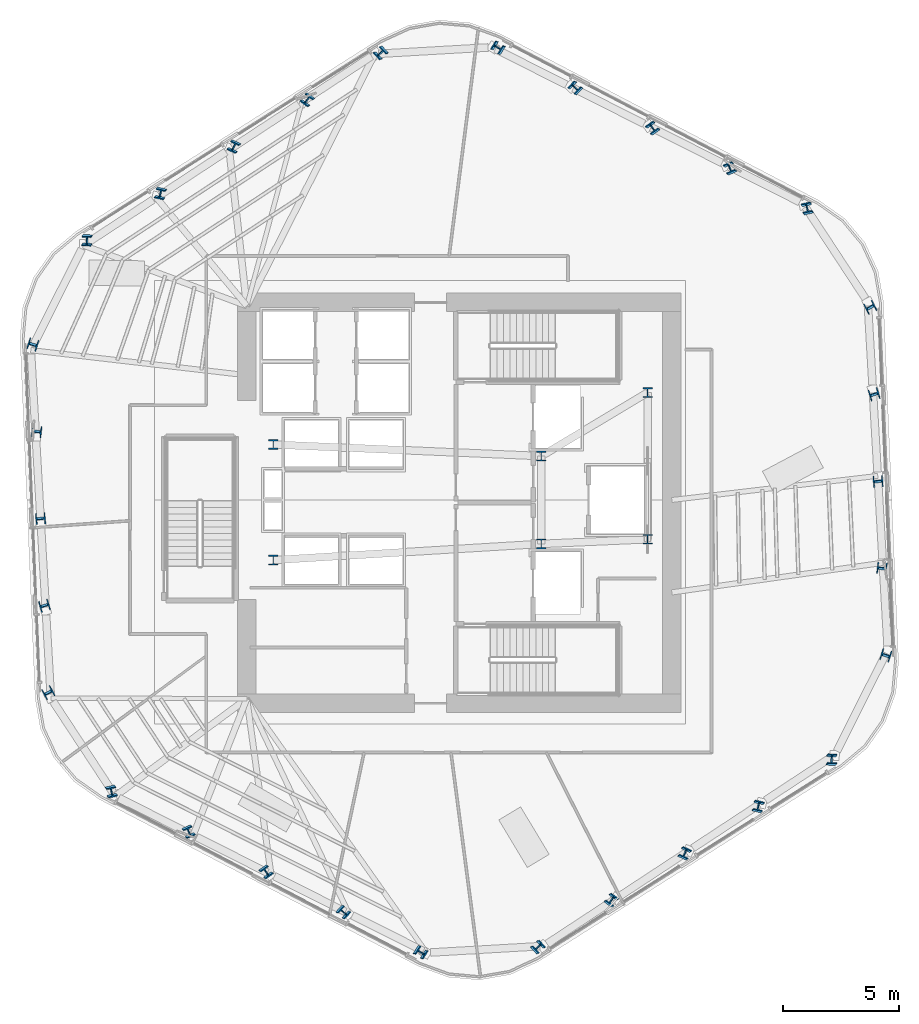
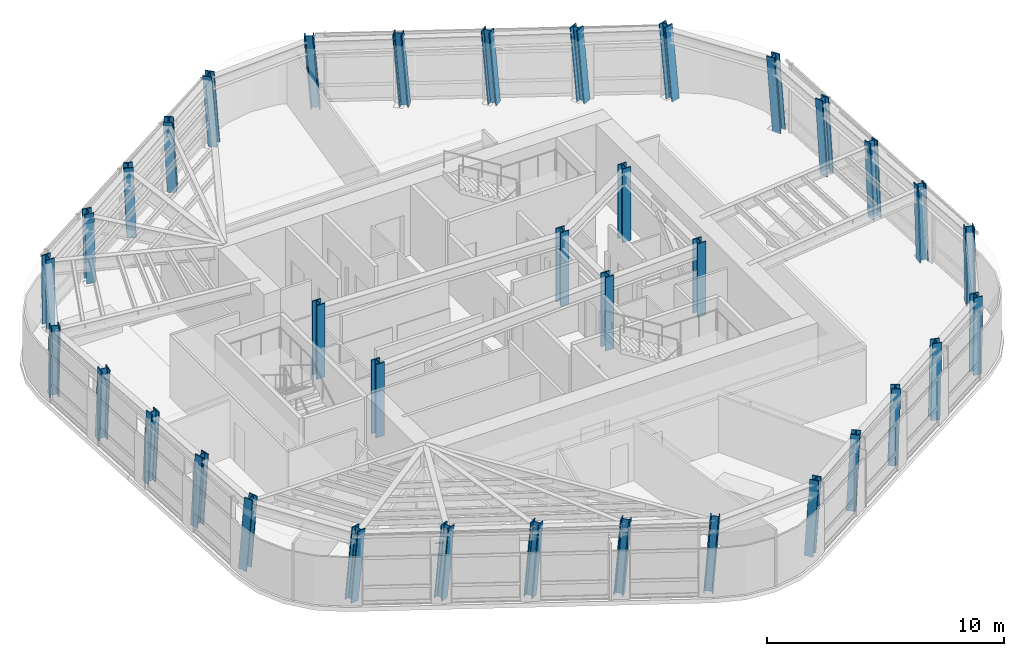
# One storey, part 1 of 15: 36 columns.
"""IFC4 building model written with IfcOpenShell, lengths in metres."""

from ifc_helpers import new_model, si_unit, direction, frame, origin, origin_2d, place, context, subcontext, project, spatial, i_section, extrude, material, material_profile, profile_set, type_object, element, save


model = new_model("IFC4")

# Units and contexts
model_context = context("Model", 3, precision=1e-05, world=origin(), true_north=direction((0.0, 1.0)))
body_context = subcontext(model_context, "Body", "Model", "MODEL_VIEW")
ifc_project = project(units=[si_unit("LENGTHUNIT", "METRE"), si_unit("AREAUNIT", "SQUARE_METRE"), si_unit("VOLUMEUNIT", "CUBIC_METRE"), si_unit("PLANEANGLEUNIT", "RADIAN"), si_unit("MASSUNIT", "GRAM", prefix="KILO")], contexts=[model_context])

# Site, building, storey
site_placement = place(None, origin())
site = spatial("IfcSite", under=ifc_project, at=site_placement, CompositionType="ELEMENT")
building_placement = place(site_placement, origin())
building = spatial("IfcBuilding", under=site, at=building_placement, Name="Valkerne Bourse Tower", CompositionType="ELEMENT")
storey_placement = place(building_placement, frame((0.0, 0.0, 162.800048828125)))
storey = spatial("IfcBuildingStorey", under=building, at=storey_placement, Name="L41", CompositionType="ELEMENT", Elevation=162.800048828125)

# Columns
ifc_material = material(Name="Steel ASTM A913 Grade 65", Category="steel")
ifc_material_profile_1 = material_profile(ifc_material, i_section(OverallWidth=0.406494140625, OverallDepth=0.41650390625, WebThickness=0.02978515625, FlangeThickness=0.048095703125, FilletRadius=0.025390625, at=origin_2d()), Name="W14X257")
ifc_profile_set_1 = profile_set([ifc_material_profile_1], Name="Steel ASTM A913 Grade 65")
column_type_1 = type_object("IfcColumnType", Name="COL-W14X257", PredefinedType="COLUMN", material=ifc_profile_set_1)
column_1_placement = place(storey_placement, frame((61.889404296875, 39.58447265625, 0.010009765625), z_axis=(-0.052579189735, 0.062039582503, 0.996687774085), x_axis=(0.974612861044, 0.220703947081, 0.037676767772)))
element("IfcColumn", 1, at=column_1_placement, inside=storey, type_object=column_type_1, Name="L41 Helical Perimeter Tube Column F1-C1", PredefinedType="COLUMN", context=body_context, shape_type="SweptSolid", body=[
    extrude(i_section(OverallWidth=0.406494140625, OverallDepth=0.41650390625, WebThickness=0.02978515625, FlangeThickness=0.048095703125, FilletRadius=0.025390625, at=origin_2d()), origin(), (0.0, 0.0, 1.0), 3.79345703125),
])
column_2_placement = place(storey_placement, frame((58.547607421875, 41.33154296875, 0.010009765625), z_axis=(-0.059744357569, 0.048220392047, 0.997048346636), x_axis=(0.916047565014, 0.399489203756, 0.035570137969)))
element("IfcColumn", 2, at=column_2_placement, inside=storey, type_object=column_type_1, Name="L41 Helical Perimeter Tube Column F1-C2", PredefinedType="COLUMN", context=body_context, shape_type="SweptSolid", body=[
    extrude(i_section(OverallWidth=0.406494140625, OverallDepth=0.41650390625, WebThickness=0.02978515625, FlangeThickness=0.048095703125, FilletRadius=0.025390625, at=origin_2d()), origin(), (0.0, 0.0, 1.0), 3.792236328125),
])
column_3_placement = place(storey_placement, frame((55.205810546875, 43.07861328125, 0.010009765625), z_axis=(-0.066898772739, 0.034254232047, 0.997171600976), x_axis=(0.815110817467, 0.578257623411, 0.034820629153)))
element("IfcColumn", 3, at=column_3_placement, inside=storey, type_object=column_type_1, Name="L41 Helical Perimeter Tube Column F1-C3", PredefinedType="COLUMN", context=body_context, shape_type="SweptSolid", body=[
    extrude(i_section(OverallWidth=0.406494140625, OverallDepth=0.41650390625, WebThickness=0.02978515625, FlangeThickness=0.048095703125, FilletRadius=0.025390625, at=origin_2d()), origin(), (0.0, 0.0, 1.0), 3.791748046875),
])
column_4_placement = place(storey_placement, frame((51.86376953125, 44.82568359375, 0.010009765625), z_axis=(-0.073972499491, 0.020408426753, 0.997051435703), x_axis=(0.680984716797, 0.73143414123, 0.035551547545)))
element("IfcColumn", 4, at=column_4_placement, inside=storey, type_object=column_type_1, Name="L41 Helical Perimeter Tube Column F1-C4", PredefinedType="COLUMN", context=body_context, shape_type="SweptSolid", body=[
    extrude(i_section(OverallWidth=0.406494140625, OverallDepth=0.41650390625, WebThickness=0.02978515625, FlangeThickness=0.048095703125, FilletRadius=0.025390625, at=origin_2d()), origin(), (0.0, 0.0, 1.0), 3.792236328125),
])
column_5_placement = place(storey_placement, frame((48.52197265625, 46.57275390625, 0.010009765625), z_axis=(-0.081088910253, 0.006499984076, 0.996685677052), x_axis=(0.531093956686, 0.846474319219, 0.037688673028)))
element("IfcColumn", 5, at=column_5_placement, inside=storey, type_object=column_type_1, Name="L41 Helical Perimeter Tube Column F1-C5", PredefinedType="COLUMN", context=body_context, shape_type="SweptSolid", body=[
    extrude(i_section(OverallWidth=0.406494140625, OverallDepth=0.41650390625, WebThickness=0.02978515625, FlangeThickness=0.048095703125, FilletRadius=0.025390625, at=origin_2d()), origin(), (0.0, 0.0, 1.0), 3.79345703125),
])
column_6_placement = place(storey_placement, frame((43.4462890625, 46.360107421875, 0.010009765625), z_axis=(-0.080059075348, -0.014544494396, 0.996684003151), x_axis=(-0.67636967017, 0.735270774771, -0.043599966074)))
element("IfcColumn", 6, at=column_6_placement, inside=storey, type_object=column_type_1, Name="L41 Helical Perimeter Tube Column F2-C1", PredefinedType="COLUMN", context=body_context, shape_type="SweptSolid", body=[
    extrude(i_section(OverallWidth=0.406494140625, OverallDepth=0.41650390625, WebThickness=0.02978515625, FlangeThickness=0.048095703125, FilletRadius=0.025390625, at=origin_2d()), origin(), (0.0, 0.0, 1.0), 3.793701171875),
])
column_7_placement = place(storey_placement, frame((40.26220703125, 44.33935546875, 0.010009765625), z_axis=(-0.07159045895, -0.027618981016, 0.997051652661), x_axis=(-0.802343320109, 0.595444951577, -0.041115767272)))
element("IfcColumn", 7, at=column_7_placement, inside=storey, type_object=column_type_1, Name="L41 Helical Perimeter Tube Column F2-C2", PredefinedType="COLUMN", context=body_context, shape_type="SweptSolid", body=[
    extrude(i_section(OverallWidth=0.406494140625, OverallDepth=0.41650390625, WebThickness=0.02978515625, FlangeThickness=0.048095703125, FilletRadius=0.025390625, at=origin_2d()), origin(), (0.0, 0.0, 1.0), 3.792236328125),
])
column_8_placement = place(storey_placement, frame((37.078369140625, 42.31884765625, 0.010009765625), z_axis=(-0.063100091584, -0.040757508135, 0.997174610574), x_axis=(-0.906938390832, 0.419335963242, -0.040250530011)))
element("IfcColumn", 8, at=column_8_placement, inside=storey, type_object=column_type_1, Name="L41 Helical Perimeter Tube Column F2-C3", PredefinedType="COLUMN", context=body_context, shape_type="SweptSolid", body=[
    extrude(i_section(OverallWidth=0.406494140625, OverallDepth=0.41650390625, WebThickness=0.02978515625, FlangeThickness=0.048095703125, FilletRadius=0.025390625, at=origin_2d()), origin(), (0.0, 0.0, 1.0), 3.791748046875),
])
column_9_placement = place(storey_placement, frame((33.894287109375, 40.298095703125, 0.010009765625), z_axis=(-0.054658643437, -0.053821703078, 0.99705348752), x_axis=(-0.973079789979, 0.22677360191, -0.041102990282)))
element("IfcColumn", 9, at=column_9_placement, inside=storey, type_object=column_type_1, Name="L41 Helical Perimeter Tube Column F2-C4", PredefinedType="COLUMN", context=body_context, shape_type="SweptSolid", body=[
    extrude(i_section(OverallWidth=0.406494140625, OverallDepth=0.41650390625, WebThickness=0.02978515625, FlangeThickness=0.048095703125, FilletRadius=0.025390625, at=origin_2d()), origin(), (0.0, 0.0, 1.0), 3.792236328125),
])
column_10_placement = place(storey_placement, frame((30.71044921875, 38.277587890625, 0.010009765625), z_axis=(-0.046143454273, -0.066994889676, 0.996685741036), x_axis=(-0.998283752352, 0.039109939533, -0.043588558364)))
element("IfcColumn", 10, at=column_10_placement, inside=storey, type_object=column_type_1, Name="L41 Helical Perimeter Tube Column F2-C5", PredefinedType="COLUMN", context=body_context, shape_type="SweptSolid", body=[
    extrude(i_section(OverallWidth=0.406494140625, OverallDepth=0.41650390625, WebThickness=0.02978515625, FlangeThickness=0.048095703125, FilletRadius=0.025390625, at=origin_2d()), origin(), (0.0, 0.0, 1.0), 3.79345703125),
])
column_11_placement = place(storey_placement, frame((28.35693359375, 33.775634765625, 0.010009765625), z_axis=(-0.027480094959, -0.076583871197, 0.996684380862), x_axis=(-0.296908871365, -0.951439165803, -0.081293516845)))
element("IfcColumn", 11, at=column_11_placement, inside=storey, type_object=column_type_1, Name="L41 Helical Perimeter Tube Column F3-C1", PredefinedType="COLUMN", context=body_context, shape_type="SweptSolid", body=[
    extrude(i_section(OverallWidth=0.406494140625, OverallDepth=0.41650390625, WebThickness=0.02978515625, FlangeThickness=0.048095703125, FilletRadius=0.025390625, at=origin_2d()), origin(), (0.0, 0.0, 1.0), 3.793701171875),
])
column_12_placement = place(storey_placement, frame((28.514892578125, 30.0078125, 0.010009765625), z_axis=(-0.011910250509, -0.075839324862, 0.997048916923), x_axis=(-0.113182155178, -0.990609245403, -0.076701516743)))
element("IfcColumn", 12, at=column_12_placement, inside=storey, type_object=column_type_1, Name="L41 Helical Perimeter Tube Column F3-C2", PredefinedType="COLUMN", context=body_context, shape_type="SweptSolid", body=[
    extrude(i_section(OverallWidth=0.406494140625, OverallDepth=0.41650390625, WebThickness=0.02978515625, FlangeThickness=0.048095703125, FilletRadius=0.025390625, at=origin_2d()), origin(), (0.0, 0.0, 1.0), 3.792236328125),
])
column_13_placement = place(storey_placement, frame((28.672607421875, 26.240234375, 0.010009765625), z_axis=(0.003798867725, -0.075075928259, 0.997170584003), x_axis=(0.092170646663, -0.99290666964, -0.075106040224)))
element("IfcColumn", 13, at=column_13_placement, inside=storey, type_object=column_type_1, Name="L41 Helical Perimeter Tube Column F3-C3", PredefinedType="COLUMN", context=body_context, shape_type="SweptSolid", body=[
    extrude(i_section(OverallWidth=0.406494140625, OverallDepth=0.41650390625, WebThickness=0.02978515625, FlangeThickness=0.048095703125, FilletRadius=0.025390625, at=origin_2d()), origin(), (0.0, 0.0, 1.0), 3.791748046875),
])
column_14_placement = place(storey_placement, frame((28.83056640625, 22.472412109375, 0.010009765625), z_axis=(0.019314019809, -0.074230216133, 0.997054082611), x_axis=(0.291371101167, -0.95353554815, -0.076634455825)))
element("IfcColumn", 14, at=column_14_placement, inside=storey, type_object=column_type_1, Name="L41 Helical Perimeter Tube Column F3-C4", PredefinedType="COLUMN", context=body_context, shape_type="SweptSolid", body=[
    extrude(i_section(OverallWidth=0.406494140625, OverallDepth=0.41650390625, WebThickness=0.02978515625, FlangeThickness=0.048095703125, FilletRadius=0.025390625, at=origin_2d()), origin(), (0.0, 0.0, 1.0), 3.792236328125),
])
column_15_placement = place(storey_placement, frame((28.988525390625, 18.704833984375, 0.010009765625), z_axis=(0.034945371233, -0.073494684988, 0.996683175492), x_axis=(0.465430232917, -0.881341967612, -0.081308267804)))
element("IfcColumn", 15, at=column_15_placement, inside=storey, type_object=column_type_1, Name="L41 Helical Perimeter Tube Column F3-C5", PredefinedType="COLUMN", context=body_context, shape_type="SweptSolid", body=[
    extrude(i_section(OverallWidth=0.406494140625, OverallDepth=0.41650390625, WebThickness=0.02978515625, FlangeThickness=0.048095703125, FilletRadius=0.025390625, at=origin_2d()), origin(), (0.0, 0.0, 1.0), 3.793701171875),
])
column_16_placement = place(storey_placement, frame((31.710693359375, 14.41552734375, 0.010009765625), z_axis=(0.052579189735, -0.062039582503, 0.996687774085), x_axis=(0.974612861044, 0.220703947081, -0.037676767772)))
element("IfcColumn", 16, at=column_16_placement, inside=storey, type_object=column_type_1, Name="L41 Helical Perimeter Tube Column F4-C1", PredefinedType="COLUMN", context=body_context, shape_type="SweptSolid", body=[
    extrude(i_section(OverallWidth=0.406494140625, OverallDepth=0.41650390625, WebThickness=0.02978515625, FlangeThickness=0.048095703125, FilletRadius=0.025390625, at=origin_2d()), origin(), (0.0, 0.0, 1.0), 3.79345703125),
])
column_17_placement = place(storey_placement, frame((35.052490234375, 12.66845703125, 0.010009765625), z_axis=(0.059744357569, -0.048220392047, 0.997048346636), x_axis=(0.916047565014, 0.399489203756, -0.035570137969)))
element("IfcColumn", 17, at=column_17_placement, inside=storey, type_object=column_type_1, Name="L41 Helical Perimeter Tube Column F4-C2", PredefinedType="COLUMN", context=body_context, shape_type="SweptSolid", body=[
    extrude(i_section(OverallWidth=0.406494140625, OverallDepth=0.41650390625, WebThickness=0.02978515625, FlangeThickness=0.048095703125, FilletRadius=0.025390625, at=origin_2d()), origin(), (0.0, 0.0, 1.0), 3.792236328125),
])
column_18_placement = place(storey_placement, frame((38.394287109375, 10.92138671875, 0.010009765625), z_axis=(0.066898772739, -0.034254232047, 0.997171600976), x_axis=(0.815110817467, 0.578257623411, -0.034820629153)))
element("IfcColumn", 18, at=column_18_placement, inside=storey, type_object=column_type_1, Name="L41 Helical Perimeter Tube Column F4-C3", PredefinedType="COLUMN", context=body_context, shape_type="SweptSolid", body=[
    extrude(i_section(OverallWidth=0.406494140625, OverallDepth=0.41650390625, WebThickness=0.02978515625, FlangeThickness=0.048095703125, FilletRadius=0.025390625, at=origin_2d()), origin(), (0.0, 0.0, 1.0), 3.791748046875),
])
column_19_placement = place(storey_placement, frame((41.736083984375, 9.17431640625, 0.010009765625), z_axis=(0.074036526647, -0.020408329519, 0.997046685371), x_axis=(0.680819504444, 0.731586533912, -0.03558013165)))
element("IfcColumn", 19, at=column_19_placement, inside=storey, type_object=column_type_1, Name="L41 Helical Perimeter Tube Column F4-C4", PredefinedType="COLUMN", context=body_context, shape_type="SweptSolid", body=[
    extrude(i_section(OverallWidth=0.406494140625, OverallDepth=0.41650390625, WebThickness=0.02978515625, FlangeThickness=0.048095703125, FilletRadius=0.025390625, at=origin_2d()), origin(), (0.0, 0.0, 1.0), 3.792236328125),
])
column_20_placement = place(storey_placement, frame((45.078125, 7.42724609375, 0.010009765625), z_axis=(0.081088910253, -0.006499984076, 0.996685677052), x_axis=(0.531093956686, 0.846474319219, -0.037688673028)))
element("IfcColumn", 20, at=column_20_placement, inside=storey, type_object=column_type_1, Name="L41 Helical Perimeter Tube Column F4-C5", PredefinedType="COLUMN", context=body_context, shape_type="SweptSolid", body=[
    extrude(i_section(OverallWidth=0.406494140625, OverallDepth=0.41650390625, WebThickness=0.02978515625, FlangeThickness=0.048095703125, FilletRadius=0.025390625, at=origin_2d()), origin(), (0.0, 0.0, 1.0), 3.79345703125),
])
column_21_placement = place(storey_placement, frame((50.15380859375, 7.639892578125, 0.010009765625), z_axis=(0.080059075348, 0.014544494396, 0.996684003151), x_axis=(-0.67636967017, 0.735270774771, 0.043599966074)))
element("IfcColumn", 21, at=column_21_placement, inside=storey, type_object=column_type_1, Name="L41 Helical Perimeter Tube Column F5-C1", PredefinedType="COLUMN", context=body_context, shape_type="SweptSolid", body=[
    extrude(i_section(OverallWidth=0.406494140625, OverallDepth=0.41650390625, WebThickness=0.02978515625, FlangeThickness=0.048095703125, FilletRadius=0.025390625, at=origin_2d()), origin(), (0.0, 0.0, 1.0), 3.793701171875),
])
column_22_placement = place(storey_placement, frame((53.337646484375, 9.66064453125, 0.010009765625), z_axis=(0.07159045895, 0.027618981016, 0.997051652661), x_axis=(-0.802343320109, 0.595444951577, 0.041115767272)))
element("IfcColumn", 22, at=column_22_placement, inside=storey, type_object=column_type_1, Name="L41 Helical Perimeter Tube Column F5-C2", PredefinedType="COLUMN", context=body_context, shape_type="SweptSolid", body=[
    extrude(i_section(OverallWidth=0.406494140625, OverallDepth=0.41650390625, WebThickness=0.02978515625, FlangeThickness=0.048095703125, FilletRadius=0.025390625, at=origin_2d()), origin(), (0.0, 0.0, 1.0), 3.792236328125),
])
column_23_placement = place(storey_placement, frame((56.521484375, 11.68115234375, 0.010009765625), z_axis=(0.063164222674, 0.040757342459, 0.997170557131), x_axis=(-0.906741588171, 0.419758580765, 0.04027935148)))
element("IfcColumn", 23, at=column_23_placement, inside=storey, type_object=column_type_1, Name="L41 Helical Perimeter Tube Column F5-C3", PredefinedType="COLUMN", context=body_context, shape_type="SweptSolid", body=[
    extrude(i_section(OverallWidth=0.406494140625, OverallDepth=0.41650390625, WebThickness=0.02978515625, FlangeThickness=0.048095703125, FilletRadius=0.025390625, at=origin_2d()), origin(), (0.0, 0.0, 1.0), 3.791748046875),
])
column_24_placement = place(storey_placement, frame((59.70556640625, 13.701904296875, 0.010009765625), z_axis=(0.054658643437, 0.053821703078, 0.99705348752), x_axis=(-0.973079789979, 0.22677360191, 0.041102990282)))
element("IfcColumn", 24, at=column_24_placement, inside=storey, type_object=column_type_1, Name="L41 Helical Perimeter Tube Column F5-C4", PredefinedType="COLUMN", context=body_context, shape_type="SweptSolid", body=[
    extrude(i_section(OverallWidth=0.406494140625, OverallDepth=0.41650390625, WebThickness=0.02978515625, FlangeThickness=0.048095703125, FilletRadius=0.025390625, at=origin_2d()), origin(), (0.0, 0.0, 1.0), 3.792236328125),
])
column_25_placement = place(storey_placement, frame((62.8896484375, 15.722412109375, 0.010009765625), z_axis=(0.046143454273, 0.066994889676, 0.996685741036), x_axis=(-0.998283752352, 0.039109939533, 0.043588558364)))
element("IfcColumn", 25, at=column_25_placement, inside=storey, type_object=column_type_1, Name="L41 Helical Perimeter Tube Column F5-C5", PredefinedType="COLUMN", context=body_context, shape_type="SweptSolid", body=[
    extrude(i_section(OverallWidth=0.406494140625, OverallDepth=0.41650390625, WebThickness=0.02978515625, FlangeThickness=0.048095703125, FilletRadius=0.025390625, at=origin_2d()), origin(), (0.0, 0.0, 1.0), 3.79345703125),
])
column_26_placement = place(storey_placement, frame((65.2431640625, 20.224365234375, 0.010009765625), z_axis=(0.027480094959, 0.076583871197, 0.996684380862), x_axis=(-0.296908871365, -0.951439165803, 0.081293516845)))
element("IfcColumn", 26, at=column_26_placement, inside=storey, type_object=column_type_1, Name="L41 Helical Perimeter Tube Column F6-C1", PredefinedType="COLUMN", context=body_context, shape_type="SweptSolid", body=[
    extrude(i_section(OverallWidth=0.406494140625, OverallDepth=0.41650390625, WebThickness=0.02978515625, FlangeThickness=0.048095703125, FilletRadius=0.025390625, at=origin_2d()), origin(), (0.0, 0.0, 1.0), 3.793701171875),
])
column_27_placement = place(storey_placement, frame((65.085205078125, 23.9921875, 0.010009765625), z_axis=(0.011845879835, 0.075839382857, 0.997049679374), x_axis=(-0.112361443573, -0.990703437494, 0.076691622327)))
element("IfcColumn", 27, at=column_27_placement, inside=storey, type_object=column_type_1, Name="L41 Helical Perimeter Tube Column F6-C2", PredefinedType="COLUMN", context=body_context, shape_type="SweptSolid", body=[
    extrude(i_section(OverallWidth=0.406494140625, OverallDepth=0.41650390625, WebThickness=0.02978515625, FlangeThickness=0.048095703125, FilletRadius=0.025390625, at=origin_2d()), origin(), (0.0, 0.0, 1.0), 3.792236328125),
])
column_28_placement = place(storey_placement, frame((64.92724609375, 27.759765625, 0.010009765625), z_axis=(-0.003734481042, 0.075075946467, 0.997170825844), x_axis=(0.091321213759, -0.992985397731, 0.075102834904)))
element("IfcColumn", 28, at=column_28_placement, inside=storey, type_object=column_type_1, Name="L41 Helical Perimeter Tube Column F6-C3", PredefinedType="COLUMN", context=body_context, shape_type="SweptSolid", body=[
    extrude(i_section(OverallWidth=0.406494140625, OverallDepth=0.41650390625, WebThickness=0.02978515625, FlangeThickness=0.048095703125, FilletRadius=0.025390625, at=origin_2d()), origin(), (0.0, 0.0, 1.0), 3.791748046875),
])
column_29_placement = place(storey_placement, frame((64.769287109375, 31.527587890625, 0.010009765625), z_axis=(-0.019314019809, 0.074230216133, 0.997054082611), x_axis=(0.291371101167, -0.95353554815, 0.076634455825)))
element("IfcColumn", 29, at=column_29_placement, inside=storey, type_object=column_type_1, Name="L41 Helical Perimeter Tube Column F6-C4", PredefinedType="COLUMN", context=body_context, shape_type="SweptSolid", body=[
    extrude(i_section(OverallWidth=0.406494140625, OverallDepth=0.41650390625, WebThickness=0.02978515625, FlangeThickness=0.048095703125, FilletRadius=0.025390625, at=origin_2d()), origin(), (0.0, 0.0, 1.0), 3.792236328125),
])
column_30_placement = place(storey_placement, frame((64.611572265625, 35.295166015625, 0.010009765625), z_axis=(-0.034945371233, 0.073494684988, 0.996683175492), x_axis=(0.465430232917, -0.881341967612, 0.081308267804)))
element("IfcColumn", 30, at=column_30_placement, inside=storey, type_object=column_type_1, Name="L41 Helical Perimeter Tube Column F6-C5", PredefinedType="COLUMN", context=body_context, shape_type="SweptSolid", body=[
    extrude(i_section(OverallWidth=0.406494140625, OverallDepth=0.41650390625, WebThickness=0.02978515625, FlangeThickness=0.048095703125, FilletRadius=0.025390625, at=origin_2d()), origin(), (0.0, 0.0, 1.0), 3.793701171875),
])
ifc_material_profile_2 = material_profile(ifc_material, i_section(OverallWidth=0.408935546875, OverallDepth=0.42431640625, WebThickness=0.03271484375, FlangeThickness=0.052490234375, FilletRadius=0.025390625, at=origin_2d()), Name="W14X283")
ifc_profile_set_2 = profile_set([ifc_material_profile_2], Name="Steel ASTM A913 Grade 65")
column_type_2 = type_object("IfcColumnType", Name="COL-W14X283", PredefinedType="COLUMN", material=ifc_profile_set_2)
for number, where, z_axis, x_axis, name in (
    (31, (38.75, 24.39990234375, 0.0048828125), (0.0, 0.0, 1.0), (1.0, 0.0, 0.0), "L41 Core Frame Column CC-SW"),
    (32, (38.75, 29.39990234375, 0.0048828125), (0.0, 0.0, 1.0), (1.0, 0.0, 0.0), "L41 Core Frame Column CC-NW"),
    (33, (50.35009765625, 25.10009765625, 0.0048828125), (0.0, 0.0, 1.0), (1.0, 0.0, 0.0), "L41 Core Frame Column CC-CE1"),
    (34, (50.35009765625, 28.89990234375, 0.0048828125), (0.0, 0.0, 1.0), (1.0, 0.0, 0.0), "L41 Core Frame Column CC-CE2"),
    (35, (54.949951171875, 25.300048828125, 0.0048828125), (0.0, 0.0, 1.0), (1.0, 0.0, 0.0), "L41 Core Frame Column CC-SE"),
    (36, (54.949951171875, 31.64990234375, 0.0048828125), (0.0, 0.0, 1.0), (1.0, 0.0, 0.0), "L41 Core Frame Column CC-NE"),
):
    element("IfcColumn", number, at=place(storey_placement, frame(where, z_axis=z_axis, x_axis=x_axis)), inside=storey, type_object=column_type_2, Name=name, PredefinedType="COLUMN", context=body_context, shape_type="SweptSolid", body=[
        extrude(i_section(OverallWidth=0.408935546875, OverallDepth=0.42431640625, WebThickness=0.03271484375, FlangeThickness=0.052490234375, FilletRadius=0.025390625, at=origin_2d()), origin(), (0.0, 0.0, 1.0), 3.795166015625),
    ])

save(model, "model.ifc")
